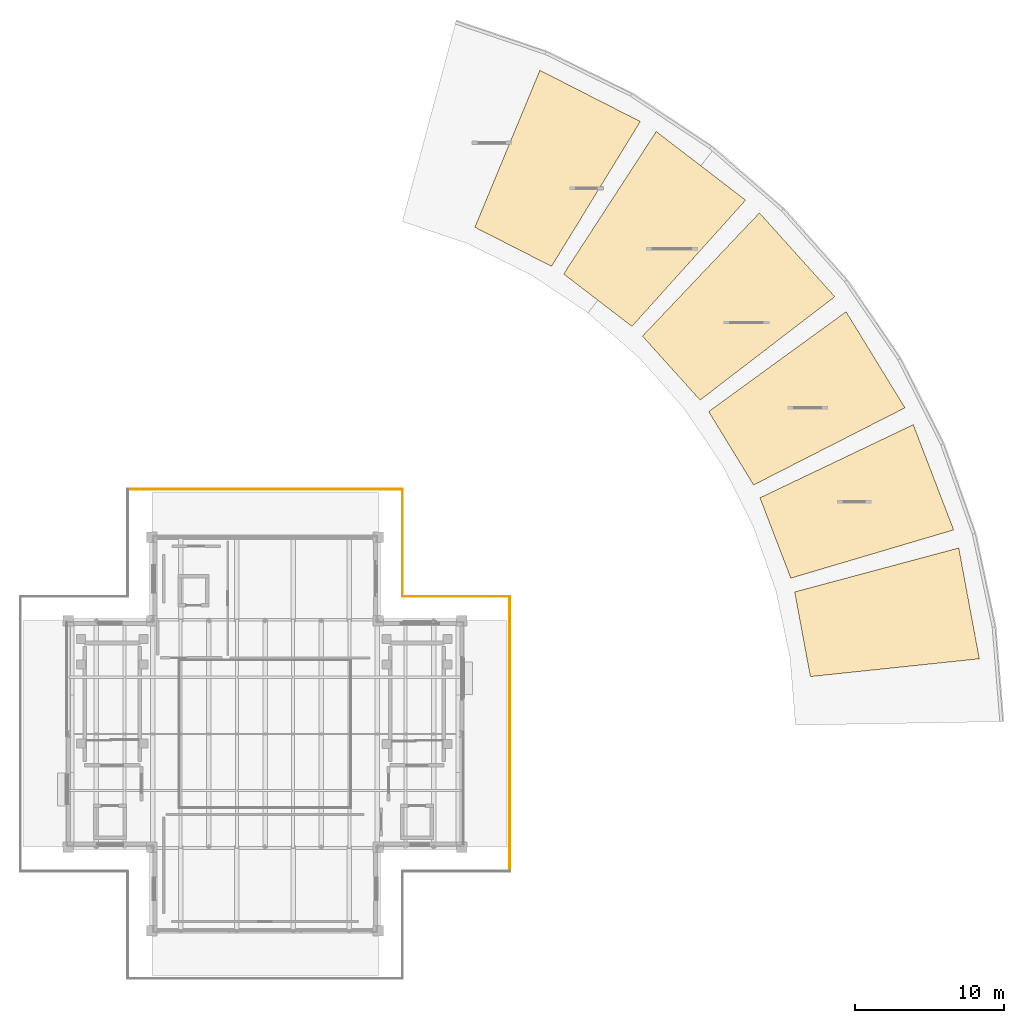
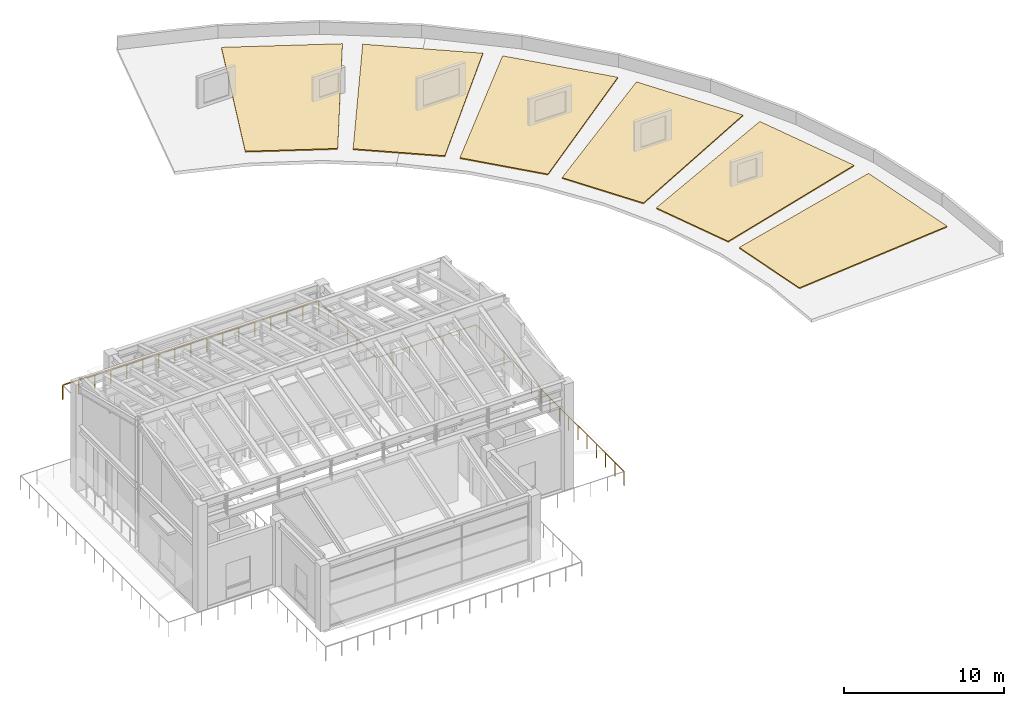
# One storey, part 11 of 11: 6 coverings, 4 railings.
"""IFC4 building model written with IfcOpenShell, lengths in metres."""

from ifc_helpers import new_model, si_unit, direction, frame, origin, origin_2d, place, context, subcontext, project, spatial, polyline, rectangle, outline, extrude, material, layer, layer_set, type_object, element, save


model = new_model("IFC4")

# Units and contexts
model_context = context("Model", 3, precision=1e-05, world=origin(), true_north=direction((0.0, 1.0)))
body_context = subcontext(model_context, "Body", "Model", "MODEL_VIEW")
ifc_project = project(units=[si_unit("LENGTHUNIT", "METRE"), si_unit("AREAUNIT", "SQUARE_METRE"), si_unit("VOLUMEUNIT", "CUBIC_METRE"), si_unit("PLANEANGLEUNIT", "RADIAN"), si_unit("MASSUNIT", "GRAM", prefix="KILO")], contexts=[model_context])

# Site, building, storey
site_placement = place(None, origin())
site = spatial("IfcSite", under=ifc_project, at=site_placement, CompositionType="ELEMENT")
building_placement = place(site_placement, origin())
building = spatial("IfcBuilding", under=site, at=building_placement, Name="Saryqyr Civic Hall", CompositionType="ELEMENT")
storey_placement = place(building_placement, frame((0.0, 0.0, 29.39990234375)))
storey = spatial("IfcBuildingStorey", under=building, at=storey_placement, Name="L07", CompositionType="ELEMENT", Elevation=29.39990234375)

# Coverings
ifc_material_1 = material(Name="SBS polymer-bitumen roofing membrane", Category="bitumen")
ifc_layer_1 = layer(ifc_material_1, 0.080078125, Name="SBS polymer-bitumen roofing membrane")
ifc_layer_set_1 = layer_set([ifc_layer_1], Name="SBS polymer-bitumen roofing membrane")
covering_type = type_object("IfcCoveringType", Name="ENV-COV-ROOF-80", PredefinedType="ROOFING", material=ifc_layer_set_1)
covering_1_placement = place(storey_placement, origin())
element("IfcCovering", 1, at=covering_1_placement, inside=storey, type_object=covering_type, Name="Insulated SBS polymer-bitumen roof covering zone 1", PredefinedType="ROOFING", context=body_context, shape_type="SweptSolid", body=[
    extrude(outline(polyline([(93.598388671875, 87.8466796875), (92.546142578125, 93.5244140625), (103.5576171875, 96.47509765625), (104.93603515625, 89.038330078125), (93.598388671875, 87.8466796875)])), origin(), (0.0, 0.0, 1.0), 0.080078125),
])
covering_2_placement = place(storey_placement, origin())
element("IfcCovering", 2, at=covering_2_placement, inside=storey, type_object=covering_type, Name="Insulated SBS polymer-bitumen roof covering zone 2", PredefinedType="ROOFING", context=body_context, shape_type="SweptSolid", body=[
    extrude(outline(polyline([(92.28466796875, 94.451904296875), (90.215087890625, 99.8427734375), (100.504638671875, 104.75048828125), (103.215087890625, 97.689453125), (92.28466796875, 94.451904296875)])), origin(), (0.0, 0.0, 1.0), 0.080078125),
])
covering_3_placement = place(storey_placement, origin())
element("IfcCovering", 3, at=covering_3_placement, inside=storey, type_object=covering_type, Name="Insulated SBS polymer-bitumen roof covering zone 3", PredefinedType="ROOFING", context=body_context, shape_type="SweptSolid", body=[
    extrude(outline(polyline([(89.7890625, 100.706787109375), (86.771728515625, 105.630615234375), (95.99462890625, 112.331298828125), (99.946533203125, 105.88232421875), (89.7890625, 100.706787109375)])), origin(), (0.0, 0.0, 1.0), 0.080078125),
])
covering_4_placement = place(storey_placement, origin())
element("IfcCovering", 4, at=covering_4_placement, inside=storey, type_object=covering_type, Name="Insulated SBS polymer-bitumen roof covering zone 4", PredefinedType="ROOFING", context=body_context, shape_type="SweptSolid", body=[
    extrude(outline(polyline([(86.1953125, 106.40234375), (82.331298828125, 110.69384765625), (90.1787109375, 118.962890625), (95.239501953125, 113.34228515625), (86.1953125, 106.40234375)])), origin(), (0.0, 0.0, 1.0), 0.080078125),
])
covering_5_placement = place(storey_placement, origin())
element("IfcCovering", 5, at=covering_5_placement, inside=storey, type_object=covering_type, Name="Insulated SBS polymer-bitumen roof covering zone 5", PredefinedType="ROOFING", context=body_context, shape_type="SweptSolid", body=[
    extrude(outline(polyline([(81.6240234375, 111.34765625), (77.042724609375, 114.863037109375), (83.251708984375, 124.423828125), (89.252197265625, 119.819580078125), (81.6240234375, 111.34765625)])), origin(), (0.0, 0.0, 1.0), 0.080078125),
])
covering_6_placement = place(storey_placement, origin())
element("IfcCovering", 6, at=covering_6_placement, inside=storey, type_object=covering_type, Name="Insulated SBS polymer-bitumen roof covering zone 6", PredefinedType="ROOFING", context=body_context, shape_type="SweptSolid", body=[
    extrude(outline(polyline([(76.227783203125, 115.377197265625), (71.082763671875, 117.998779296875), (75.4453125, 128.531005859375), (82.184326171875, 125.097412109375), (76.227783203125, 115.377197265625)])), origin(), (0.0, 0.0, 1.0), 0.080078125),
])

# Railings
ifc_material_2 = material(Name="Stainless steel and laminated glass", Category="steel")
ifc_layer_2 = layer(ifc_material_2, 0.06005859375, Name="Stainless steel and laminated glass")
ifc_layer_set_2 = layer_set([ifc_layer_2], Name="Stainless steel and laminated glass")
railing_type = type_object("IfcRailingType", Name="ENV-RLG-BAL-1100", PredefinedType="BALUSTRADE", material=ifc_layer_set_2)
railing_1_placement = place(storey_placement, frame((73.419921875, 74.780029296875, 0.0)))
element("IfcRailing", 7, at=railing_1_placement, inside=storey, type_object=railing_type, Name="Perimeter safety balustrade V1-STEPG-L07-G04", PredefinedType="BALUSTRADE", context=body_context, shape_type="SweptSolid", body=[
    extrude(rectangle(XDim=0.048095703125, YDim=0.048095703125, at=origin_2d()), frame((0.0, 0.0, 1.076171875), z_axis=(0.0, 1.0, 0.0), x_axis=(-1.0, 0.0, 0.0)), (0.0, 0.0, 1.0), 18.43994140625),
    extrude(rectangle(XDim=0.0419921875, YDim=0.0419921875, at=origin_2d()), origin(), (0.0, 0.0, 1.0), 1.052001953125),
    extrude(rectangle(XDim=0.0419921875, YDim=0.0419921875, at=origin_2d()), frame((0.0, 1.152587890625, 0.0)), (0.0, 0.0, 1.0), 1.052001953125),
    extrude(rectangle(XDim=0.0419921875, YDim=0.0419921875, at=origin_2d()), frame((0.0, 2.304931640625, 0.0)), (0.0, 0.0, 1.0), 1.052001953125),
    extrude(rectangle(XDim=0.0419921875, YDim=0.0419921875, at=origin_2d()), frame((0.0, 3.45751953125, 0.0)), (0.0, 0.0, 1.0), 1.052001953125),
    extrude(rectangle(XDim=0.0419921875, YDim=0.0419921875, at=origin_2d()), frame((0.0, 4.60986328125, 0.0)), (0.0, 0.0, 1.0), 1.052001953125),
    extrude(rectangle(XDim=0.0419921875, YDim=0.0419921875, at=origin_2d()), frame((0.0, 5.762451171875, 0.0)), (0.0, 0.0, 1.0), 1.052001953125),
    extrude(rectangle(XDim=0.0419921875, YDim=0.0419921875, at=origin_2d()), frame((0.0, 6.9150390625, 0.0)), (0.0, 0.0, 1.0), 1.052001953125),
    extrude(rectangle(XDim=0.0419921875, YDim=0.0419921875, at=origin_2d()), frame((0.0, 8.0673828125, 0.0)), (0.0, 0.0, 1.0), 1.052001953125),
    extrude(rectangle(XDim=0.0419921875, YDim=0.0419921875, at=origin_2d()), frame((0.0, 9.219970703125, 0.0)), (0.0, 0.0, 1.0), 1.052001953125),
    extrude(rectangle(XDim=0.0419921875, YDim=0.0419921875, at=origin_2d()), frame((0.0, 10.37255859375, 0.0)), (0.0, 0.0, 1.0), 1.052001953125),
    extrude(rectangle(XDim=0.0419921875, YDim=0.0419921875, at=origin_2d()), frame((0.0, 11.52490234375, 0.0)), (0.0, 0.0, 1.0), 1.052001953125),
    extrude(rectangle(XDim=0.0419921875, YDim=0.0419921875, at=origin_2d()), frame((0.0, 12.677490234375, 0.0)), (0.0, 0.0, 1.0), 1.052001953125),
    extrude(rectangle(XDim=0.0419921875, YDim=0.0419921875, at=origin_2d()), frame((0.0, 13.830078125, 0.0)), (0.0, 0.0, 1.0), 1.052001953125),
    extrude(rectangle(XDim=0.0419921875, YDim=0.0419921875, at=origin_2d()), frame((0.0, 14.982421875, 0.0)), (0.0, 0.0, 1.0), 1.052001953125),
    extrude(rectangle(XDim=0.0419921875, YDim=0.0419921875, at=origin_2d()), frame((0.0, 16.135009765625, 0.0)), (0.0, 0.0, 1.0), 1.052001953125),
    extrude(rectangle(XDim=0.0419921875, YDim=0.0419921875, at=origin_2d()), frame((0.0, 17.287353515625, 0.0)), (0.0, 0.0, 1.0), 1.052001953125),
    extrude(rectangle(XDim=0.0419921875, YDim=0.0419921875, at=origin_2d()), frame((0.0, 18.43994140625, 0.0)), (0.0, 0.0, 1.0), 1.052001953125),
])
railing_2_placement = place(storey_placement, frame((73.419921875, 93.219970703125, 0.0)))
element("IfcRailing", 8, at=railing_2_placement, inside=storey, type_object=railing_type, Name="Perimeter safety balustrade V1-STEPG-L07-G05", PredefinedType="BALUSTRADE", context=body_context, shape_type="SweptSolid", body=[
    extrude(rectangle(XDim=0.048095703125, YDim=0.048095703125, at=origin_2d()), frame((0.0, 0.0, 1.076171875), z_axis=(-1.0, 0.0, 0.0), x_axis=(0.0, -1.0, 0.0)), (0.0, 0.0, 1.0), 7.199951171875),
    extrude(rectangle(XDim=0.0419921875, YDim=0.0419921875, at=origin_2d()), origin(), (0.0, 0.0, 1.0), 1.052001953125),
    extrude(rectangle(XDim=0.0419921875, YDim=0.0419921875, at=origin_2d()), frame((-1.199951171875, 0.0, 0.0)), (0.0, 0.0, 1.0), 1.052001953125),
    extrude(rectangle(XDim=0.0419921875, YDim=0.0419921875, at=origin_2d()), frame((-2.39990234375, 0.0, 0.0)), (0.0, 0.0, 1.0), 1.052001953125),
    extrude(rectangle(XDim=0.0419921875, YDim=0.0419921875, at=origin_2d()), frame((-3.60009765625, 0.0, 0.0)), (0.0, 0.0, 1.0), 1.052001953125),
    extrude(rectangle(XDim=0.0419921875, YDim=0.0419921875, at=origin_2d()), frame((-4.800048828125, 0.0, 0.0)), (0.0, 0.0, 1.0), 1.052001953125),
    extrude(rectangle(XDim=0.0419921875, YDim=0.0419921875, at=origin_2d()), frame((-6.0, 0.0, 0.0)), (0.0, 0.0, 1.0), 1.052001953125),
    extrude(rectangle(XDim=0.0419921875, YDim=0.0419921875, at=origin_2d()), frame((-7.199951171875, 0.0, 0.0)), (0.0, 0.0, 1.0), 1.052001953125),
])
railing_3_placement = place(storey_placement, frame((66.219970703125, 93.219970703125, 0.0)))
element("IfcRailing", 9, at=railing_3_placement, inside=storey, type_object=railing_type, Name="Perimeter safety balustrade V1-STEPG-L07-G06", PredefinedType="BALUSTRADE", context=body_context, shape_type="SweptSolid", body=[
    extrude(rectangle(XDim=0.048095703125, YDim=0.048095703125, at=origin_2d()), frame((0.0, 0.0, 1.076171875), z_axis=(0.0, 1.0, 0.0), x_axis=(-1.0, 0.0, 0.0)), (0.0, 0.0, 1.0), 7.199951171875),
    extrude(rectangle(XDim=0.0419921875, YDim=0.0419921875, at=origin_2d()), origin(), (0.0, 0.0, 1.0), 1.052001953125),
    extrude(rectangle(XDim=0.0419921875, YDim=0.0419921875, at=origin_2d()), frame((0.0, 1.199951171875, 0.0)), (0.0, 0.0, 1.0), 1.052001953125),
    extrude(rectangle(XDim=0.0419921875, YDim=0.0419921875, at=origin_2d()), frame((0.0, 2.39990234375, 0.0)), (0.0, 0.0, 1.0), 1.052001953125),
    extrude(rectangle(XDim=0.0419921875, YDim=0.0419921875, at=origin_2d()), frame((0.0, 3.60009765625, 0.0)), (0.0, 0.0, 1.0), 1.052001953125),
    extrude(rectangle(XDim=0.0419921875, YDim=0.0419921875, at=origin_2d()), frame((0.0, 4.800048828125, 0.0)), (0.0, 0.0, 1.0), 1.052001953125),
    extrude(rectangle(XDim=0.0419921875, YDim=0.0419921875, at=origin_2d()), frame((0.0, 6.0, 0.0)), (0.0, 0.0, 1.0), 1.052001953125),
    extrude(rectangle(XDim=0.0419921875, YDim=0.0419921875, at=origin_2d()), frame((0.0, 7.199951171875, 0.0)), (0.0, 0.0, 1.0), 1.052001953125),
])
railing_4_placement = place(storey_placement, frame((66.219970703125, 100.419921875, 0.0)))
element("IfcRailing", 10, at=railing_4_placement, inside=storey, type_object=railing_type, Name="Perimeter safety balustrade V1-STEPG-L07-G07", PredefinedType="BALUSTRADE", context=body_context, shape_type="SweptSolid", body=[
    extrude(rectangle(XDim=0.048095703125, YDim=0.048095703125, at=origin_2d()), frame((0.0, 0.0, 1.076171875), z_axis=(-1.0, 0.0, 0.0), x_axis=(0.0, -1.0, 0.0)), (0.0, 0.0, 1.0), 18.43994140625),
    extrude(rectangle(XDim=0.0419921875, YDim=0.0419921875, at=origin_2d()), origin(), (0.0, 0.0, 1.0), 1.052001953125),
    extrude(rectangle(XDim=0.0419921875, YDim=0.0419921875, at=origin_2d()), frame((-1.152587890625, 0.0, 0.0)), (0.0, 0.0, 1.0), 1.052001953125),
    extrude(rectangle(XDim=0.0419921875, YDim=0.0419921875, at=origin_2d()), frame((-2.304931640625, 0.0, 0.0)), (0.0, 0.0, 1.0), 1.052001953125),
    extrude(rectangle(XDim=0.0419921875, YDim=0.0419921875, at=origin_2d()), frame((-3.45751953125, 0.0, 0.0)), (0.0, 0.0, 1.0), 1.052001953125),
    extrude(rectangle(XDim=0.0419921875, YDim=0.0419921875, at=origin_2d()), frame((-4.60986328125, 0.0, 0.0)), (0.0, 0.0, 1.0), 1.052001953125),
    extrude(rectangle(XDim=0.0419921875, YDim=0.0419921875, at=origin_2d()), frame((-5.762451171875, 0.0, 0.0)), (0.0, 0.0, 1.0), 1.052001953125),
    extrude(rectangle(XDim=0.0419921875, YDim=0.0419921875, at=origin_2d()), frame((-6.9150390625, 0.0, 0.0)), (0.0, 0.0, 1.0), 1.052001953125),
    extrude(rectangle(XDim=0.0419921875, YDim=0.0419921875, at=origin_2d()), frame((-8.0673828125, 0.0, 0.0)), (0.0, 0.0, 1.0), 1.052001953125),
    extrude(rectangle(XDim=0.0419921875, YDim=0.0419921875, at=origin_2d()), frame((-9.219970703125, 0.0, 0.0)), (0.0, 0.0, 1.0), 1.052001953125),
    extrude(rectangle(XDim=0.0419921875, YDim=0.0419921875, at=origin_2d()), frame((-10.37255859375, 0.0, 0.0)), (0.0, 0.0, 1.0), 1.052001953125),
    extrude(rectangle(XDim=0.0419921875, YDim=0.0419921875, at=origin_2d()), frame((-11.52490234375, 0.0, 0.0)), (0.0, 0.0, 1.0), 1.052001953125),
    extrude(rectangle(XDim=0.0419921875, YDim=0.0419921875, at=origin_2d()), frame((-12.677490234375, 0.0, 0.0)), (0.0, 0.0, 1.0), 1.052001953125),
    extrude(rectangle(XDim=0.0419921875, YDim=0.0419921875, at=origin_2d()), frame((-13.830078125, 0.0, 0.0)), (0.0, 0.0, 1.0), 1.052001953125),
    extrude(rectangle(XDim=0.0419921875, YDim=0.0419921875, at=origin_2d()), frame((-14.982421875, 0.0, 0.0)), (0.0, 0.0, 1.0), 1.052001953125),
    extrude(rectangle(XDim=0.0419921875, YDim=0.0419921875, at=origin_2d()), frame((-16.135009765625, 0.0, 0.0)), (0.0, 0.0, 1.0), 1.052001953125),
    extrude(rectangle(XDim=0.0419921875, YDim=0.0419921875, at=origin_2d()), frame((-17.287353515625, 0.0, 0.0)), (0.0, 0.0, 1.0), 1.052001953125),
    extrude(rectangle(XDim=0.0419921875, YDim=0.0419921875, at=origin_2d()), frame((-18.43994140625, 0.0, 0.0)), (0.0, 0.0, 1.0), 1.052001953125),
])

save(model, "model.ifc")
